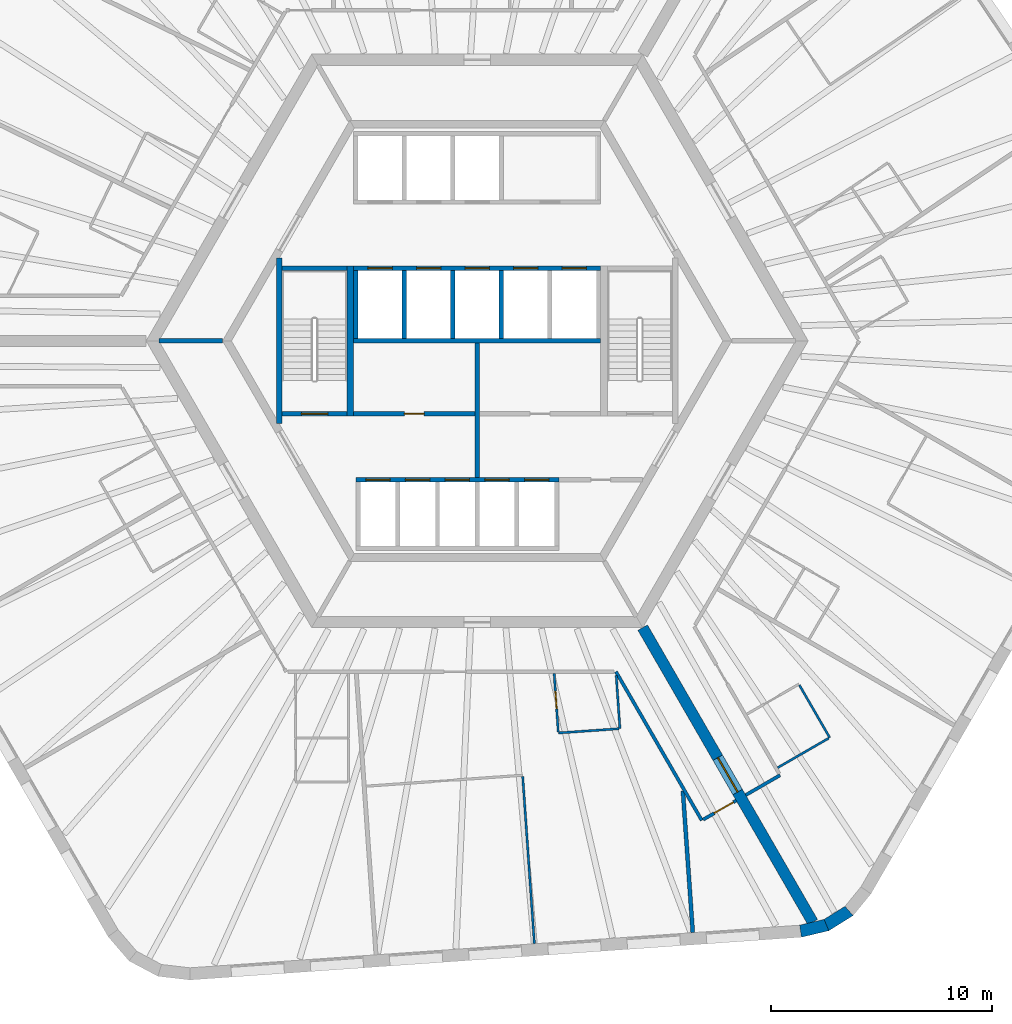
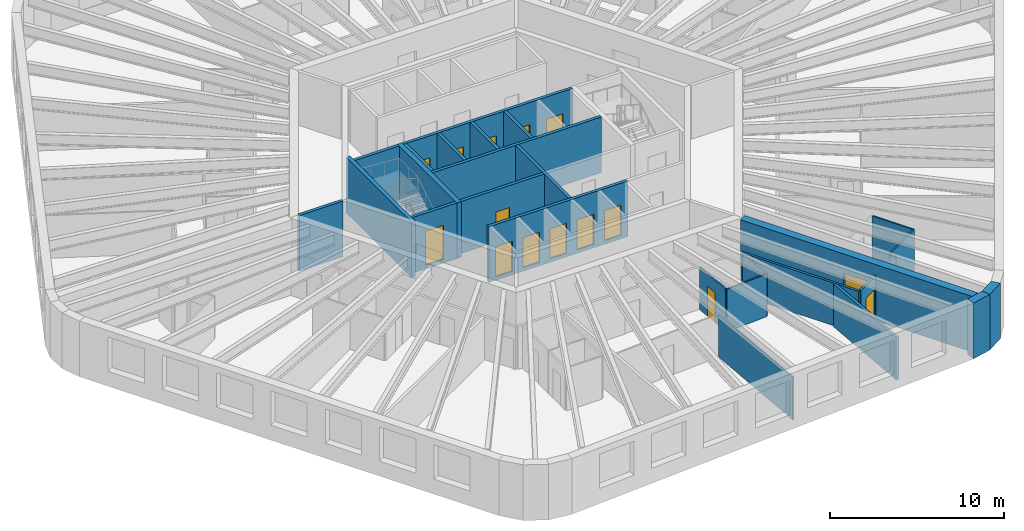
# One storey, part 4 of 10: 27 walls, 15 doors, 15 openings.
"""IFC4 building model written with IfcOpenShell, lengths in metres."""

from ifc_helpers import new_model, si_unit, direction, frame, frame_2d, origin, place, context, subcontext, project, spatial, polyline, rectangle, outline, extrude, material, layer, layer_set, type_object, element, fill, save


model = new_model("IFC4")

# Units and contexts
model_context = context("Model", 3, precision=1e-05, world=origin(), true_north=direction((0.0, 1.0)))
body_context = subcontext(model_context, "Body", "Model", "MODEL_VIEW")
ifc_project = project(units=[si_unit("LENGTHUNIT", "METRE"), si_unit("AREAUNIT", "SQUARE_METRE"), si_unit("VOLUMEUNIT", "CUBIC_METRE"), si_unit("PLANEANGLEUNIT", "RADIAN"), si_unit("MASSUNIT", "GRAM", prefix="KILO")], contexts=[model_context])

# Site, building, storey
site_placement = place(None, origin())
site = spatial("IfcSite", under=ifc_project, at=site_placement, CompositionType="ELEMENT")
building_placement = place(site_placement, origin())
building = spatial("IfcBuilding", under=site, at=building_placement, Name="Tarnside Tower", CompositionType="ELEMENT")
storey_placement = place(building_placement, frame((0.0, 0.0, 187.800048828125)))
storey = spatial("IfcBuildingStorey", under=building, at=storey_placement, Name="L44", CompositionType="ELEMENT", Elevation=187.800048828125)

# Walls
ifc_material_1 = material(Name="Gypsum board partition on steel studs", Category="steel")
ifc_layer_1 = layer(ifc_material_1, 0.10009765625)
ifc_layer_set_1 = layer_set([ifc_layer_1], Name="Bathroom wall 100")
wall_type_1 = type_object("IfcWallType", Name="Bathroom wall 100", PredefinedType="PARTITIONING", material=ifc_layer_set_1)
wall_1_placement = place(storey_placement, frame((6.30517578125, -15.170654296875, 0.0), z_axis=(0.0, 0.0, 1.0), x_axis=(0.069661348173, -0.99757069753, 0.0)))
element("IfcWall", 1, at=wall_1_placement, inside=storey, type_object=wall_type_1, Name="Bathroom wall 14094", PredefinedType="PARTITIONING", context=body_context, shape_type="SweptSolid", body=[
    extrude(rectangle(XDim=2.418212890625, YDim=0.10009765625, at=frame_2d((1.208984375, 0.0))), origin(), (0.0, 0.0, 1.0), 2.98779296875),
])
wall_2_placement = place(storey_placement, frame((6.423828125, -17.58642578125, 0.0), z_axis=(0.0, 0.0, 1.0), x_axis=(-0.997562182015, -0.069783185748, 0.0)))
element("IfcWall", 2, at=wall_2_placement, inside=storey, type_object=wall_type_1, Name="Bathroom wall 14095", PredefinedType="PARTITIONING", context=body_context, shape_type="SweptSolid", body=[
    extrude(rectangle(XDim=2.749755859375, YDim=0.10009765625, at=frame_2d((1.375, 0.0))), origin(), (0.0, 0.0, 1.0), 2.98779296875),
])

# Wall, opening, door
wall_3_placement = place(storey_placement, frame((3.677001953125, -17.728271484375, 0.0), z_axis=(0.0, 0.0, 1.0), x_axis=(-0.069759707979, 0.997563824095, 0.0)))
wall_3 = element("IfcWall", 3, at=wall_3_placement, inside=storey, type_object=wall_type_1, Name="Bathroom wall 14096", PredefinedType="PARTITIONING", context=body_context, shape_type="SweptSolid", body=[
    extrude(rectangle(XDim=2.659912109375, YDim=0.10009765625, at=frame_2d((1.330078125, 0.0))), origin(), (0.0, 0.0, 1.0), 2.98779296875),
])
opening_1_placement = place(wall_3_placement, frame((1.050048828125, 0.0, 0.0)))
opening_1 = element("IfcOpeningElement", 4, at=opening_1_placement, cuts=wall_3, Name="Opening D-B1", PredefinedType="OPENING", context=body_context, shape_type="SweptSolid", body=[
    extrude(rectangle(XDim=0.800048828125, YDim=2.10009765625, at=frame_2d((0.39990234375, 1.050048828125))), frame((0.0, 0.06005859375, 0.0), z_axis=(0.0, -1.0, 0.0), x_axis=(1.0, 0.0, 0.0)), (0.0, 0.0, 1.0), 0.1201171875),
])
ifc_material_2 = material(Name="Timber door leaf", Category="wood")
door_type_1 = type_object("IfcDoorType", Name="Bathroom door 800", OperationType="NOTDEFINED", PredefinedType="DOOR", material=ifc_material_2)
door_1_placement = place(opening_1_placement, origin())
door_1 = element("IfcDoor", 5, at=door_1_placement, inside=storey, type_object=door_type_1, Name="Bathroom door 14022", OperationType="SINGLE_SWING_LEFT", OverallHeight=2.10009765625, OverallWidth=0.800048828125, PredefinedType="DOOR", context=body_context, shape_type="SweptSolid", body=[
    extrude(rectangle(XDim=0.800048828125, YDim=2.10009765625, at=frame_2d((0.39990234375, 1.050048828125))), frame((0.0, 0.02490234375, 0.0), z_axis=(0.0, -1.0, 0.0), x_axis=(1.0, 0.0, 0.0)), (0.0, 0.0, 1.0), 0.050048828125),
])
fill(opening_1, door_1)

# Walls
wall_4_placement = place(storey_placement, frame((14.611572265625, -15.608154296875, 0.0), z_axis=(0.0, 0.0, 1.0), x_axis=(0.499996545922, -0.866027397988, 0.0)))
element("IfcWall", 6, at=wall_4_placement, inside=storey, type_object=wall_type_1, Name="Bathroom wall 14101", PredefinedType="PARTITIONING", context=body_context, shape_type="SweptSolid", body=[
    extrude(rectangle(XDim=2.75, YDim=0.10009765625, at=frame_2d((1.375, 0.0))), origin(), (0.0, 0.0, 1.0), 2.98779296875),
])
wall_5_placement = place(storey_placement, frame((15.943359375, -18.0146484375, 0.0), z_axis=(0.0, 0.0, 1.0), x_axis=(-0.866004723184, -0.50003581814, 0.0)))
element("IfcWall", 7, at=wall_5_placement, inside=storey, type_object=wall_type_1, Name="Bathroom wall 14102", PredefinedType="PARTITIONING", context=body_context, shape_type="SweptSolid", body=[
    extrude(rectangle(XDim=2.675048828125, YDim=0.10009765625, at=frame_2d((1.33740234375, 0.0))), origin(), (0.0, 0.0, 1.0), 2.98779296875),
])

# Wall, opening, door
ifc_material_3 = material(Name="Concrete C40/50", Category="concrete")
ifc_layer_2 = layer(ifc_material_3, 0.199951171875)
ifc_layer_set_2 = layer_set([ifc_layer_2], Name="Core room partition 200 C40/50")
wall_type_2 = type_object("IfcWallType", Name="Core room partition 200 C40/50", PredefinedType="PARTITIONING", material=ifc_layer_set_2)
wall_6_placement = place(storey_placement, frame((-5.60009765625, -3.300048828125, 0.0), z_axis=(0.0, 0.0, 1.0), x_axis=(1.0, 0.0, 0.0)))
wall_6 = element("IfcWall", 8, at=wall_6_placement, inside=storey, type_object=wall_type_2, Name="L44 core partition W3", PredefinedType="PARTITIONING", context=body_context, shape_type="SweptSolid", body=[
    extrude(rectangle(XDim=5.5, YDim=0.199951171875, at=frame_2d((2.75, 0.0))), origin(), (0.0, 0.0, 1.0), 3.64990234375),
])
opening_2_placement = place(wall_6_placement, frame((2.300048828125, 0.0, 0.0)))
opening_2 = element("IfcOpeningElement", 9, at=opening_2_placement, cuts=wall_6, Name="Opening CD-room", PredefinedType="OPENING", context=body_context, shape_type="SweptSolid", body=[
    extrude(rectangle(XDim=0.89990234375, YDim=2.10009765625, at=frame_2d((0.449951171875, 1.050048828125))), frame((0.0, 0.10986328125, 0.0), z_axis=(0.0, -1.0, 0.0), x_axis=(1.0, 0.0, 0.0)), (0.0, 0.0, 1.0), 0.219970703125),
])
ifc_material_4 = material(Name="Steel fire door", Category="steel")
door_type_2 = type_object("IfcDoorType", Name="Room door FD60 900x2100", OperationType="NOTDEFINED", PredefinedType="DOOR", material=ifc_material_4)
door_2_placement = place(opening_2_placement, origin())
door_2 = element("IfcDoor", 10, at=door_2_placement, inside=storey, type_object=door_type_2, Name="L44 core room door W3D", OperationType="SINGLE_SWING_LEFT", OverallHeight=2.10009765625, OverallWidth=0.89990234375, PredefinedType="DOOR", context=body_context, shape_type="SweptSolid", body=[
    extrude(rectangle(XDim=0.89990234375, YDim=2.10009765625, at=frame_2d((0.449951171875, 1.050048828125))), frame((0.0, 0.02490234375, 0.0), z_axis=(0.0, -1.0, 0.0), x_axis=(1.0, 0.0, 0.0)), (0.0, 0.0, 1.0), 0.050048828125),
])
fill(opening_2, door_2)

# Wall
wall_7_placement = place(storey_placement, frame((0.0, -6.199951171875, 0.0), z_axis=(0.0, 0.0, 1.0), x_axis=(0.0, 1.0, 0.0)))
element("IfcWall", 11, at=wall_7_placement, inside=storey, type_object=wall_type_2, Name="L44 core partition X0", PredefinedType="PARTITIONING", context=body_context, shape_type="SweptSolid", body=[
    extrude(rectangle(XDim=6.099853515625, YDim=0.199951171875, at=frame_2d((3.0498046875, 0.0))), origin(), (0.0, 0.0, 1.0), 3.64990234375),
])

# Wall, opening, door
ifc_material_5 = material(Name="Concrete C70/85", Category="concrete")
ifc_layer_3 = layer(ifc_material_5, 0.5)
ifc_layer_set_3 = layer_set([ifc_layer_3], Name="Core wall Z2 500 C70/85")
wall_type_3 = type_object("IfcWallType", Name="Core wall Z2 500 C70/85", PredefinedType="SHEAR", material=ifc_layer_set_3)
wall_8_placement = place(storey_placement, frame((7.505615234375, -13.0, -0.150146484375), z_axis=(0.0, 0.0, 1.0), x_axis=(0.499988271576, -0.866032175087, 0.0)))
wall_8 = element("IfcWall", 12, at=wall_8_placement, inside=storey, type_object=wall_type_3, Name="L44 spine wall 3", PredefinedType="SHEAR", context=body_context, shape_type="SweptSolid", body=[
    extrude(rectangle(XDim=15.423583984375, YDim=0.5, at=frame_2d((7.7119140625, 0.0))), origin(), (0.0, 0.0, 1.0), 3.900146484375),
])
opening_3_placement = place(wall_8_placement, frame((6.811767578125, 0.0, 0.14990234375)))
opening_3 = element("IfcOpeningElement", 13, at=opening_3_placement, cuts=wall_8, Name="Opening CD-SPN", PredefinedType="OPENING", context=body_context, shape_type="SweptSolid", body=[
    extrude(rectangle(XDim=1.800048828125, YDim=2.39990234375, at=frame_2d((0.89990234375, 1.199951171875))), frame((0.0, 0.260009765625, 0.0), z_axis=(0.0, -1.0, 0.0), x_axis=(1.0, 0.0, 0.0)), (0.0, 0.0, 1.0), 0.52001953125),
])
door_type_3 = type_object("IfcDoorType", Name="Spine passage double door FD60 1800x2400", OperationType="NOTDEFINED", PredefinedType="DOOR", material=ifc_material_4)
door_3_placement = place(opening_3_placement, origin())
door_3 = element("IfcDoor", 14, at=door_3_placement, inside=storey, type_object=door_type_3, Name="L44 spine passage door 3", OperationType="DOUBLE_DOOR_SINGLE_SWING", OverallHeight=2.39990234375, OverallWidth=1.800048828125, PredefinedType="DOOR", context=body_context, shape_type="SweptSolid", body=[
    extrude(rectangle(XDim=1.800048828125, YDim=2.39990234375, at=frame_2d((0.89990234375, 1.199951171875))), frame((0.0, 0.02490234375, 0.0), z_axis=(0.0, -1.0, 0.0), x_axis=(1.0, 0.0, 0.0)), (0.0, 0.0, 1.0), 0.050048828125),
])
fill(opening_3, door_3)

# Wall
ifc_layer_4 = layer(ifc_material_1, 0.14990234375)
ifc_layer_set_4 = layer_set([ifc_layer_4], Name="Corridor wall 150 EI 60")
wall_type_4 = type_object("IfcWallType", Name="Corridor wall 150 EI 60", PredefinedType="PARTITIONING", material=ifc_layer_set_4)
wall_9_placement = place(storey_placement, frame((6.293212890625, -15.0, 0.0), z_axis=(0.0, 0.0, 1.0), x_axis=(0.499980313799, -0.86603676932, 0.0)))
element("IfcWall", 15, at=wall_9_placement, inside=storey, type_object=wall_type_4, Name="Corridor wall 14031", PredefinedType="PARTITIONING", context=body_context, shape_type="SweptSolid", body=[
    extrude(rectangle(XDim=7.785888671875, YDim=0.14990234375, at=frame_2d((3.89306640625, 0.0))), origin(), (0.0, 0.0, 1.0), 2.98779296875),
])

# Wall, opening, door
wall_10_placement = place(storey_placement, frame((10.2509765625, -21.705322265625, 0.0), z_axis=(0.0, 0.0, 1.0), x_axis=(0.866013532718, 0.500020560727, 0.0)))
wall_10 = element("IfcWall", 16, at=wall_10_placement, inside=storey, type_object=wall_type_4, Name="Corridor wall 14034", PredefinedType="PARTITIONING", context=body_context, shape_type="SweptSolid", body=[
    extrude(rectangle(XDim=1.72509765625, YDim=0.14990234375, at=frame_2d((0.862548828125, 0.0))), origin(), (0.0, 0.0, 1.0), 2.98779296875),
])
opening_4_placement = place(wall_10_placement, frame((0.574951171875, 0.0, 0.0)))
opening_4 = element("IfcOpeningElement", 17, at=opening_4_placement, cuts=wall_10, Name="Opening D-E1", PredefinedType="OPENING", context=body_context, shape_type="SweptSolid", body=[
    extrude(rectangle(XDim=1.0, YDim=2.10009765625, at=frame_2d((0.5, 1.050048828125))), frame((0.0, 0.0849609375, 0.0), z_axis=(0.0, -1.0, 0.0), x_axis=(1.0, 0.0, 0.0)), (0.0, 0.0, 1.0), 0.169921875),
])
door_type_4 = type_object("IfcDoorType", Name="Unit entrance door 1000 FD30S", OperationType="NOTDEFINED", PredefinedType="DOOR", material=ifc_material_2)
door_4_placement = place(opening_4_placement, origin())
door_4 = element("IfcDoor", 18, at=door_4_placement, inside=storey, type_object=door_type_4, Name="Unit door 14024", OperationType="SINGLE_SWING_LEFT", OverallHeight=2.10009765625, OverallWidth=1.0, PredefinedType="DOOR", context=body_context, shape_type="SweptSolid", body=[
    extrude(rectangle(XDim=1.0, YDim=2.10009765625, at=frame_2d((0.5, 1.050048828125))), frame((0.0, 0.02490234375, 0.0), z_axis=(0.0, -1.0, 0.0), x_axis=(1.0, 0.0, 0.0)), (0.0, 0.0, 1.0), 0.050048828125),
])
fill(opening_4, door_4)

# Walls
wall_11_placement = place(storey_placement, frame((12.177978515625, -20.5927734375, 0.0), z_axis=(0.0, 0.0, 1.0), x_axis=(0.866047807691, 0.499961193289, 0.0)))
element("IfcWall", 19, at=wall_11_placement, inside=storey, type_object=wall_type_4, Name="Corridor wall 14037", PredefinedType="PARTITIONING", context=body_context, shape_type="SweptSolid", body=[
    extrude(rectangle(XDim=1.800048828125, YDim=0.14990234375, at=frame_2d((0.89990234375, 0.0))), origin(), (0.0, 0.0, 1.0), 2.98779296875),
])
ifc_layer_5 = layer(ifc_material_1, 0.179931640625)
ifc_layer_set_5 = layer_set([ifc_layer_5], Name="Demising wall 180 EI 60")
wall_type_5 = type_object("IfcWallType", Name="Demising wall 180 EI 60", PredefinedType="PARTITIONING", material=ifc_layer_set_5)
wall_12_placement = place(storey_placement, frame((9.777587890625, -26.833251953125, 0.0), z_axis=(0.0, 0.0, 1.0), x_axis=(-0.069733334443, 0.997565668048, 0.0)))
element("IfcWall", 20, at=wall_12_placement, inside=storey, type_object=wall_type_5, Name="Demising wall 14099", PredefinedType="PARTITIONING", context=body_context, shape_type="SweptSolid", body=[
    extrude(rectangle(XDim=6.44189453125, YDim=0.179931640625, at=frame_2d((3.220947265625, 0.0))), origin(), (0.0, 0.0, 1.0), 2.98779296875),
])

# Wall, openings, doors
ifc_layer_6 = layer(ifc_material_3, 0.199951171875)
ifc_layer_set_6 = layer_set([ifc_layer_6], Name="Lift shaft wall 200 C40/50")
wall_type_6 = type_object("IfcWallType", Name="Lift shaft wall 200 C40/50", PredefinedType="SHEAR", material=ifc_layer_set_6)
wall_13_placement = place(storey_placement, frame((-5.60009765625, 3.300048828125, -0.25), z_axis=(0.0, 0.0, 1.0), x_axis=(1.0, 0.0, 0.0)))
wall_13 = element("IfcWall", 21, at=wall_13_placement, inside=storey, type_object=wall_type_6, Name="L44 lift shaft front wall R2", PredefinedType="SHEAR", context=body_context, shape_type="SweptSolid", body=[
    extrude(rectangle(XDim=11.2001953125, YDim=0.199951171875, at=frame_2d((5.60009765625, 0.0))), origin(), (0.0, 0.0, 1.0), 3.89990234375),
])
opening_5_placement = place(wall_13_placement, frame((0.64990234375, 0.0, 0.25)))
opening_5 = element("IfcOpeningElement", 22, at=opening_5_placement, cuts=wall_13, Name="Opening LD", PredefinedType="OPENING", context=body_context, shape_type="SweptSolid", body=[
    extrude(rectangle(XDim=1.10009765625, YDim=2.10009765625, at=frame_2d((0.550048828125, 1.050048828125))), frame((0.0, 0.10986328125, 0.0), z_axis=(0.0, -1.0, 0.0), x_axis=(1.0, 0.0, 0.0)), (0.0, 0.0, 1.0), 0.219970703125),
])
opening_6_placement = place(wall_13_placement, frame((2.85009765625, 0.0, 0.25)))
opening_6 = element("IfcOpeningElement", 23, at=opening_6_placement, cuts=wall_13, Name="Opening LD", PredefinedType="OPENING", context=body_context, shape_type="SweptSolid", body=[
    extrude(rectangle(XDim=1.10009765625, YDim=2.10009765625, at=frame_2d((0.550048828125, 1.050048828125))), frame((0.0, 0.10986328125, 0.0), z_axis=(0.0, -1.0, 0.0), x_axis=(1.0, 0.0, 0.0)), (0.0, 0.0, 1.0), 0.219970703125),
])
opening_7_placement = place(wall_13_placement, frame((5.050048828125, 0.0, 0.25)))
opening_7 = element("IfcOpeningElement", 24, at=opening_7_placement, cuts=wall_13, Name="Opening LD", PredefinedType="OPENING", context=body_context, shape_type="SweptSolid", body=[
    extrude(rectangle(XDim=1.10009765625, YDim=2.10009765625, at=frame_2d((0.550048828125, 1.050048828125))), frame((0.0, 0.10986328125, 0.0), z_axis=(0.0, -1.0, 0.0), x_axis=(1.0, 0.0, 0.0)), (0.0, 0.0, 1.0), 0.219970703125),
])
opening_8_placement = place(wall_13_placement, frame((7.25, 0.0, 0.25)))
opening_8 = element("IfcOpeningElement", 25, at=opening_8_placement, cuts=wall_13, Name="Opening LD", PredefinedType="OPENING", context=body_context, shape_type="SweptSolid", body=[
    extrude(rectangle(XDim=1.10009765625, YDim=2.10009765625, at=frame_2d((0.550048828125, 1.050048828125))), frame((0.0, 0.10986328125, 0.0), z_axis=(0.0, -1.0, 0.0), x_axis=(1.0, 0.0, 0.0)), (0.0, 0.0, 1.0), 0.219970703125),
])
opening_9_placement = place(wall_13_placement, frame((9.449951171875, 0.0, 0.25)))
opening_9 = element("IfcOpeningElement", 26, at=opening_9_placement, cuts=wall_13, Name="Opening LD", PredefinedType="OPENING", context=body_context, shape_type="SweptSolid", body=[
    extrude(rectangle(XDim=1.10009765625, YDim=2.10009765625, at=frame_2d((0.550048828125, 1.050048828125))), frame((0.0, 0.10986328125, 0.0), z_axis=(0.0, -1.0, 0.0), x_axis=(1.0, 0.0, 0.0)), (0.0, 0.0, 1.0), 0.219970703125),
])
ifc_material_6 = material(Name="Stainless steel", Category="steel")
door_type_5 = type_object("IfcDoorType", Name="Lift landing door 1100x2100", OperationType="NOTDEFINED", PredefinedType="DOOR", material=ifc_material_6)
door_5_placement = place(opening_5_placement, origin())
door_5 = element("IfcDoor", 27, at=door_5_placement, inside=storey, type_object=door_type_5, Name="Mid-rise lift 4 landing door L44", OperationType="SLIDING_TO_LEFT", OverallHeight=2.10009765625, OverallWidth=1.10009765625, PredefinedType="DOOR", context=body_context, shape_type="SweptSolid", body=[
    extrude(rectangle(XDim=1.10009765625, YDim=2.10009765625, at=frame_2d((0.550048828125, 1.050048828125))), frame((0.0, 0.02490234375, 0.0), z_axis=(0.0, -1.0, 0.0), x_axis=(1.0, 0.0, 0.0)), (0.0, 0.0, 1.0), 0.050048828125),
])
fill(opening_5, door_5)
door_6_placement = place(opening_6_placement, origin())
door_6 = element("IfcDoor", 28, at=door_6_placement, inside=storey, type_object=door_type_5, Name="Mid-rise lift 5 landing door L44", OperationType="SLIDING_TO_LEFT", OverallHeight=2.10009765625, OverallWidth=1.10009765625, PredefinedType="DOOR", context=body_context, shape_type="SweptSolid", body=[
    extrude(rectangle(XDim=1.10009765625, YDim=2.10009765625, at=frame_2d((0.550048828125, 1.050048828125))), frame((0.0, 0.02490234375, 0.0), z_axis=(0.0, -1.0, 0.0), x_axis=(1.0, 0.0, 0.0)), (0.0, 0.0, 1.0), 0.050048828125),
])
fill(opening_6, door_6)
door_7_placement = place(opening_7_placement, origin())
door_7 = element("IfcDoor", 29, at=door_7_placement, inside=storey, type_object=door_type_5, Name="Mid-rise lift 6 landing door L44", OperationType="SLIDING_TO_LEFT", OverallHeight=2.10009765625, OverallWidth=1.10009765625, PredefinedType="DOOR", context=body_context, shape_type="SweptSolid", body=[
    extrude(rectangle(XDim=1.10009765625, YDim=2.10009765625, at=frame_2d((0.550048828125, 1.050048828125))), frame((0.0, 0.02490234375, 0.0), z_axis=(0.0, -1.0, 0.0), x_axis=(1.0, 0.0, 0.0)), (0.0, 0.0, 1.0), 0.050048828125),
])
fill(opening_7, door_7)
door_8_placement = place(opening_8_placement, origin())
door_8 = element("IfcDoor", 30, at=door_8_placement, inside=storey, type_object=door_type_5, Name="High sky-lobby shuttle 1 landing door L44", OperationType="SLIDING_TO_LEFT", OverallHeight=2.10009765625, OverallWidth=1.10009765625, PredefinedType="DOOR", context=body_context, shape_type="SweptSolid", body=[
    extrude(rectangle(XDim=1.10009765625, YDim=2.10009765625, at=frame_2d((0.550048828125, 1.050048828125))), frame((0.0, 0.02490234375, 0.0), z_axis=(0.0, -1.0, 0.0), x_axis=(1.0, 0.0, 0.0)), (0.0, 0.0, 1.0), 0.050048828125),
])
fill(opening_8, door_8)
door_9_placement = place(opening_9_placement, origin())
door_9 = element("IfcDoor", 31, at=door_9_placement, inside=storey, type_object=door_type_5, Name="Express sky-lobby shuttle 2 landing door L44", OperationType="SLIDING_TO_LEFT", OverallHeight=2.10009765625, OverallWidth=1.10009765625, PredefinedType="DOOR", context=body_context, shape_type="SweptSolid", body=[
    extrude(rectangle(XDim=1.10009765625, YDim=2.10009765625, at=frame_2d((0.550048828125, 1.050048828125))), frame((0.0, 0.02490234375, 0.0), z_axis=(0.0, -1.0, 0.0), x_axis=(1.0, 0.0, 0.0)), (0.0, 0.0, 1.0), 0.050048828125),
])
fill(opening_9, door_9)

# Walls
wall_14_placement = place(storey_placement, frame((-5.60009765625, 0.0, -0.25), z_axis=(0.0, 0.0, 1.0), x_axis=(1.0, 0.0, 0.0)))
element("IfcWall", 32, at=wall_14_placement, inside=storey, type_object=wall_type_6, Name="L44 lift shaft back wall R2", PredefinedType="SHEAR", context=body_context, shape_type="SweptSolid", body=[
    extrude(rectangle(XDim=11.2001953125, YDim=0.199951171875, at=frame_2d((5.60009765625, 0.0))), origin(), (0.0, 0.0, 1.0), 3.89990234375),
])
for number, where, z_axis, x_axis, name in (
    (33, (-5.5, 0.10009765625, -0.25), (0.0, 0.0, 1.0), (0.0, 1.0, 0.0), "L44 lift shaft partition R21"),
    (34, (-3.300048828125, 0.10009765625, -0.25), (0.0, 0.0, 1.0), (0.0, 1.0, 0.0), "L44 lift shaft partition R22"),
    (35, (-1.10009765625, 0.10009765625, -0.25), (0.0, 0.0, 1.0), (0.0, 1.0, 0.0), "L44 lift shaft partition R23"),
    (36, (1.10009765625, 0.10009765625, -0.25), (0.0, 0.0, 1.0), (0.0, 1.0, 0.0), "L44 lift shaft partition R24"),
):
    element("IfcWall", number, at=place(storey_placement, frame(where, z_axis=z_axis, x_axis=x_axis)), inside=storey, type_object=wall_type_6, Name=name, PredefinedType="SHEAR", context=body_context, shape_type="SweptSolid", body=[
        extrude(rectangle(XDim=3.099853515625, YDim=0.199951171875, at=frame_2d((1.5498046875, 0.0))), origin(), (0.0, 0.0, 1.0), 3.89990234375),
    ])

# Wall, openings, doors
wall_15_placement = place(storey_placement, frame((-5.5, -6.300048828125, -0.25), z_axis=(0.0, 0.0, 1.0), x_axis=(1.0, 0.0, 0.0)))
wall_15 = element("IfcWall", 37, at=wall_15_placement, inside=storey, type_object=wall_type_6, Name="L44 lift shaft front wall R4", PredefinedType="SHEAR", context=body_context, shape_type="SweptSolid", body=[
    extrude(rectangle(XDim=9.199951171875, YDim=0.199951171875, at=frame_2d((4.60009765625, 0.0))), origin(), (0.0, 0.0, 1.0), 3.89990234375),
])
opening_10_placement = place(wall_15_placement, frame((0.449951171875, 0.0, 0.25)))
opening_10 = element("IfcOpeningElement", 38, at=opening_10_placement, cuts=wall_15, Name="Opening LDF", PredefinedType="OPENING", context=body_context, shape_type="SweptSolid", body=[
    extrude(rectangle(XDim=1.10009765625, YDim=2.10009765625, at=frame_2d((0.550048828125, 1.050048828125))), frame((0.0, 0.10986328125, 0.0), z_axis=(0.0, -1.0, 0.0), x_axis=(1.0, 0.0, 0.0)), (0.0, 0.0, 1.0), 0.219970703125),
])
opening_11_placement = place(wall_15_placement, frame((2.25, 0.0, 0.25)))
opening_11 = element("IfcOpeningElement", 39, at=opening_11_placement, cuts=wall_15, Name="Opening LDF", PredefinedType="OPENING", context=body_context, shape_type="SweptSolid", body=[
    extrude(rectangle(XDim=1.10009765625, YDim=2.10009765625, at=frame_2d((0.550048828125, 1.050048828125))), frame((0.0, 0.10986328125, 0.0), z_axis=(0.0, -1.0, 0.0), x_axis=(1.0, 0.0, 0.0)), (0.0, 0.0, 1.0), 0.219970703125),
])
opening_12_placement = place(wall_15_placement, frame((4.050048828125, 0.0, 0.25)))
opening_12 = element("IfcOpeningElement", 40, at=opening_12_placement, cuts=wall_15, Name="Opening LDF", PredefinedType="OPENING", context=body_context, shape_type="SweptSolid", body=[
    extrude(rectangle(XDim=1.10009765625, YDim=2.10009765625, at=frame_2d((0.550048828125, 1.050048828125))), frame((0.0, 0.10986328125, 0.0), z_axis=(0.0, -1.0, 0.0), x_axis=(1.0, 0.0, 0.0)), (0.0, 0.0, 1.0), 0.219970703125),
])
opening_13_placement = place(wall_15_placement, frame((5.85009765625, 0.0, 0.25)))
opening_13 = element("IfcOpeningElement", 41, at=opening_13_placement, cuts=wall_15, Name="Opening LDF", PredefinedType="OPENING", context=body_context, shape_type="SweptSolid", body=[
    extrude(rectangle(XDim=1.10009765625, YDim=2.10009765625, at=frame_2d((0.550048828125, 1.050048828125))), frame((0.0, 0.10986328125, 0.0), z_axis=(0.0, -1.0, 0.0), x_axis=(1.0, 0.0, 0.0)), (0.0, 0.0, 1.0), 0.219970703125),
])
opening_14_placement = place(wall_15_placement, frame((7.64990234375, 0.0, 0.25)))
opening_14 = element("IfcOpeningElement", 42, at=opening_14_placement, cuts=wall_15, Name="Opening LDF", PredefinedType="OPENING", context=body_context, shape_type="SweptSolid", body=[
    extrude(rectangle(XDim=1.10009765625, YDim=2.10009765625, at=frame_2d((0.550048828125, 1.050048828125))), frame((0.0, 0.10986328125, 0.0), z_axis=(0.0, -1.0, 0.0), x_axis=(1.0, 0.0, 0.0)), (0.0, 0.0, 1.0), 0.219970703125),
])
door_type_6 = type_object("IfcDoorType", Name="Lift landing door 1100x2100 EI 120", OperationType="NOTDEFINED", PredefinedType="DOOR", material=ifc_material_6)
door_10_placement = place(opening_10_placement, origin())
door_10 = element("IfcDoor", 43, at=door_10_placement, inside=storey, type_object=door_type_6, Name="Firefighting lift 1 landing door L44", OperationType="SLIDING_TO_LEFT", OverallHeight=2.10009765625, OverallWidth=1.10009765625, PredefinedType="DOOR", context=body_context, shape_type="SweptSolid", body=[
    extrude(rectangle(XDim=1.10009765625, YDim=2.10009765625, at=frame_2d((0.550048828125, 1.050048828125))), frame((0.0, 0.02490234375, 0.0), z_axis=(0.0, -1.0, 0.0), x_axis=(1.0, 0.0, 0.0)), (0.0, 0.0, 1.0), 0.050048828125),
])
fill(opening_10, door_10)
door_11_placement = place(opening_11_placement, origin())
door_11 = element("IfcDoor", 44, at=door_11_placement, inside=storey, type_object=door_type_6, Name="Firefighting lift 2 landing door L44", OperationType="SLIDING_TO_LEFT", OverallHeight=2.10009765625, OverallWidth=1.10009765625, PredefinedType="DOOR", context=body_context, shape_type="SweptSolid", body=[
    extrude(rectangle(XDim=1.10009765625, YDim=2.10009765625, at=frame_2d((0.550048828125, 1.050048828125))), frame((0.0, 0.02490234375, 0.0), z_axis=(0.0, -1.0, 0.0), x_axis=(1.0, 0.0, 0.0)), (0.0, 0.0, 1.0), 0.050048828125),
])
fill(opening_11, door_11)
door_12_placement = place(opening_12_placement, origin())
door_12 = element("IfcDoor", 45, at=door_12_placement, inside=storey, type_object=door_type_6, Name="Firefighting lift 3 landing door L44", OperationType="SLIDING_TO_LEFT", OverallHeight=2.10009765625, OverallWidth=1.10009765625, PredefinedType="DOOR", context=body_context, shape_type="SweptSolid", body=[
    extrude(rectangle(XDim=1.10009765625, YDim=2.10009765625, at=frame_2d((0.550048828125, 1.050048828125))), frame((0.0, 0.02490234375, 0.0), z_axis=(0.0, -1.0, 0.0), x_axis=(1.0, 0.0, 0.0)), (0.0, 0.0, 1.0), 0.050048828125),
])
fill(opening_12, door_12)
door_13_placement = place(opening_13_placement, origin())
door_13 = element("IfcDoor", 46, at=door_13_placement, inside=storey, type_object=door_type_6, Name="Firefighting lift 4 landing door L44", OperationType="SLIDING_TO_LEFT", OverallHeight=2.10009765625, OverallWidth=1.10009765625, PredefinedType="DOOR", context=body_context, shape_type="SweptSolid", body=[
    extrude(rectangle(XDim=1.10009765625, YDim=2.10009765625, at=frame_2d((0.550048828125, 1.050048828125))), frame((0.0, 0.02490234375, 0.0), z_axis=(0.0, -1.0, 0.0), x_axis=(1.0, 0.0, 0.0)), (0.0, 0.0, 1.0), 0.050048828125),
])
fill(opening_13, door_13)
door_14_placement = place(opening_14_placement, origin())
door_14 = element("IfcDoor", 47, at=door_14_placement, inside=storey, type_object=door_type_6, Name="Firefighting lift 5 landing door L44", OperationType="SLIDING_TO_LEFT", OverallHeight=2.10009765625, OverallWidth=1.10009765625, PredefinedType="DOOR", context=body_context, shape_type="SweptSolid", body=[
    extrude(rectangle(XDim=1.10009765625, YDim=2.10009765625, at=frame_2d((0.550048828125, 1.050048828125))), frame((0.0, 0.02490234375, 0.0), z_axis=(0.0, -1.0, 0.0), x_axis=(1.0, 0.0, 0.0)), (0.0, 0.0, 1.0), 0.050048828125),
])
fill(opening_14, door_14)

# Walls
wall_16_placement = place(storey_placement, frame((-11.547119140625, 0.0, -0.150146484375), z_axis=(0.0, 0.0, 1.0), x_axis=(-1.0, 0.0, 0.0)))
element("IfcWall", 48, at=wall_16_placement, inside=storey, type_object=wall_type_6, Name="L44 core partition AR180", PredefinedType="SHEAR", context=body_context, shape_type="SweptSolid", body=[
    extrude(rectangle(XDim=2.88671875, YDim=0.199951171875, at=frame_2d((1.443359375, 0.0))), origin(), (0.0, 0.0, 1.0), 3.900146484375),
])
wall_17_placement = place(storey_placement, frame((-8.85009765625, 3.300048828125, -0.25), z_axis=(0.0, 0.0, 1.0), x_axis=(1.0, 0.0, 0.0)))
element("IfcWall", 49, at=wall_17_placement, inside=storey, type_object=wall_type_6, Name="L44 stair 2 enclosure cap wall n", PredefinedType="SHEAR", context=body_context, shape_type="SweptSolid", body=[
    extrude(rectangle(XDim=2.9501953125, YDim=0.199951171875, at=frame_2d((1.47509765625, 0.0))), origin(), (0.0, 0.0, 1.0), 3.89990234375),
])

# Wall, opening, door
wall_18_placement = place(storey_placement, frame((-8.85009765625, -3.300048828125, -0.25), z_axis=(0.0, 0.0, 1.0), x_axis=(1.0, 0.0, 0.0)))
wall_18 = element("IfcWall", 50, at=wall_18_placement, inside=storey, type_object=wall_type_6, Name="L44 stair 2 enclosure cap wall s", PredefinedType="SHEAR", context=body_context, shape_type="SweptSolid", body=[
    extrude(rectangle(XDim=2.9501953125, YDim=0.199951171875, at=frame_2d((1.47509765625, 0.0))), origin(), (0.0, 0.0, 1.0), 3.89990234375),
])
opening_15_placement = place(wall_18_placement, frame((0.875, 0.0, 0.25)))
opening_15 = element("IfcOpeningElement", 51, at=opening_15_placement, cuts=wall_18, Name="Opening CD-STR", PredefinedType="OPENING", context=body_context, shape_type="SweptSolid", body=[
    extrude(rectangle(XDim=1.199951171875, YDim=2.39990234375, at=frame_2d((0.60009765625, 1.199951171875))), frame((0.0, 0.10986328125, 0.0), z_axis=(0.0, -1.0, 0.0), x_axis=(1.0, 0.0, 0.0)), (0.0, 0.0, 1.0), 0.219970703125),
])
door_type_7 = type_object("IfcDoorType", Name="Stair door FD60S 1200x2400", OperationType="NOTDEFINED", PredefinedType="DOOR", material=ifc_material_4)
door_15_placement = place(opening_15_placement, origin())
door_15 = element("IfcDoor", 52, at=door_15_placement, inside=storey, type_object=door_type_7, Name="L44 stair 2 door", OperationType="SINGLE_SWING_LEFT", OverallHeight=2.39990234375, OverallWidth=1.199951171875, PredefinedType="DOOR", context=body_context, shape_type="SweptSolid", body=[
    extrude(rectangle(XDim=1.199951171875, YDim=2.39990234375, at=frame_2d((0.60009765625, 1.199951171875))), frame((0.0, 0.02490234375, 0.0), z_axis=(0.0, -1.0, 0.0), x_axis=(1.0, 0.0, 0.0)), (0.0, 0.0, 1.0), 0.050048828125),
])
fill(opening_15, door_15)

# Walls
ifc_layer_7 = layer(ifc_material_1, 0.10009765625)
ifc_layer_set_7 = layer_set([ifc_layer_7], Name="Partition 100")
wall_type_7 = type_object("IfcWallType", Name="Partition 100", PredefinedType="PARTITIONING", material=ifc_layer_set_7)
wall_19_placement = place(storey_placement, frame((2.064453125, -19.745849609375, 0.0), z_axis=(0.0, 0.0, 1.0), x_axis=(0.069762387692, -0.997563636699, 0.0)))
element("IfcWall", 53, at=wall_19_placement, inside=storey, type_object=wall_type_7, Name="Partition wall 14098", PredefinedType="PARTITIONING", context=body_context, shape_type="SweptSolid", body=[
    extrude(rectangle(XDim=7.608154296875, YDim=0.10009765625, at=frame_2d((3.80419921875, 0.0))), origin(), (0.0, 0.0, 1.0), 2.98779296875),
])
ifc_layer_8 = layer(ifc_material_3, 0.25)
ifc_layer_set_8 = layer_set([ifc_layer_8], Name="Stair enclosure wall 250 C40/50")
wall_type_8 = type_object("IfcWallType", Name="Stair enclosure wall 250 C40/50", PredefinedType="SHEAR", material=ifc_layer_set_8)
wall_20_placement = place(storey_placement, frame((-8.97509765625, -3.7548828125, -0.25), z_axis=(0.0, 0.0, 1.0), x_axis=(0.0, 1.0, 0.0)))
element("IfcWall", 54, at=wall_20_placement, inside=storey, type_object=wall_type_8, Name="L44 stair 2 enclosure wall outer", PredefinedType="SHEAR", context=body_context, shape_type="SweptSolid", body=[
    extrude(rectangle(XDim=7.509765625, YDim=0.25, at=frame_2d((3.7548828125, 0.0))), origin(), (0.0, 0.0, 1.0), 3.89990234375),
])
ifc_layer_9 = layer(ifc_material_3, 0.300048828125)
ifc_layer_set_9 = layer_set([ifc_layer_9], Name="Stair enclosure wall 300 C40/50")
wall_type_9 = type_object("IfcWallType", Name="Stair enclosure wall 300 C40/50", PredefinedType="SHEAR", material=ifc_layer_set_9)
wall_21_placement = place(storey_placement, frame((-5.75, -3.39990234375, -0.25), z_axis=(0.0, 0.0, 1.0), x_axis=(0.0, 1.0, 0.0)))
element("IfcWall", 55, at=wall_21_placement, inside=storey, type_object=wall_type_9, Name="L44 stair 2 enclosure wall inner", PredefinedType="SHEAR", context=body_context, shape_type="SweptSolid", body=[
    extrude(rectangle(XDim=6.7998046875, YDim=0.300048828125, at=frame_2d((3.39990234375, 0.0))), origin(), (0.0, 0.0, 1.0), 3.89990234375),
])
ifc_material_7 = material(Name="Facing brick", Category="masonry")
ifc_layer_10 = layer(ifc_material_7, 0.10205078125)
ifc_material_8 = material(Name="Concrete C60/75 precast", Category="concrete")
ifc_layer_11 = layer(ifc_material_8, 0.347900390625)
ifc_material_9 = material(Name="Mineral wool insulation")
ifc_layer_12 = layer(ifc_material_9, 0.10009765625)
ifc_layer_set_10 = layer_set([ifc_layer_10, ifc_layer_11, ifc_layer_12], Name="Tube wall 550 brick faced")
wall_type_10 = type_object("IfcWallType", Name="Tube wall 550 brick faced", PredefinedType="SOLIDWALL", material=ifc_layer_set_10)
wall_22_placement = place(storey_placement, frame((14.663818359375, -26.767333984375, -0.150146484375), z_axis=(0.0, 0.0, 1.0), x_axis=(0.973063591128, 0.230536868247, 0.0)))
element("IfcWall", 56, at=wall_22_placement, inside=storey, type_object=wall_type_10, Name="Tube wall L44 F4 chord 13", PredefinedType="SOLIDWALL", context=body_context, shape_type="SweptSolid", body=[
    extrude(outline(polyline([(-0.0224609375, -0.27490234375), (1.25341796875, -0.27490234375), (1.1630859375, 0.27490234375), (0.0224609375, 0.27490234375), (-0.0224609375, -0.27490234375)])), origin(), (0.0, 0.0, 1.0), 3.900146484375),
])
wall_23_placement = place(storey_placement, frame((15.839599609375, -26.48876953125, -0.150146484375), z_axis=(0.0, 0.0, 1.0), x_axis=(0.848009655012, 0.52998077796, 0.0)))
element("IfcWall", 57, at=wall_23_placement, inside=storey, type_object=wall_type_10, Name="Tube wall L44 F4 chord 14", PredefinedType="SOLIDWALL", context=body_context, shape_type="SweptSolid", body=[
    extrude(outline(polyline([(-0.045166015625, -0.27490234375), (1.25341796875, -0.27490234375), (1.1630859375, 0.27490234375), (0.045166015625, 0.27490234375), (-0.045166015625, -0.27490234375)])), origin(), (0.0, 0.0, 1.0), 3.900146484375),
])

save(model, "model.ifc")
